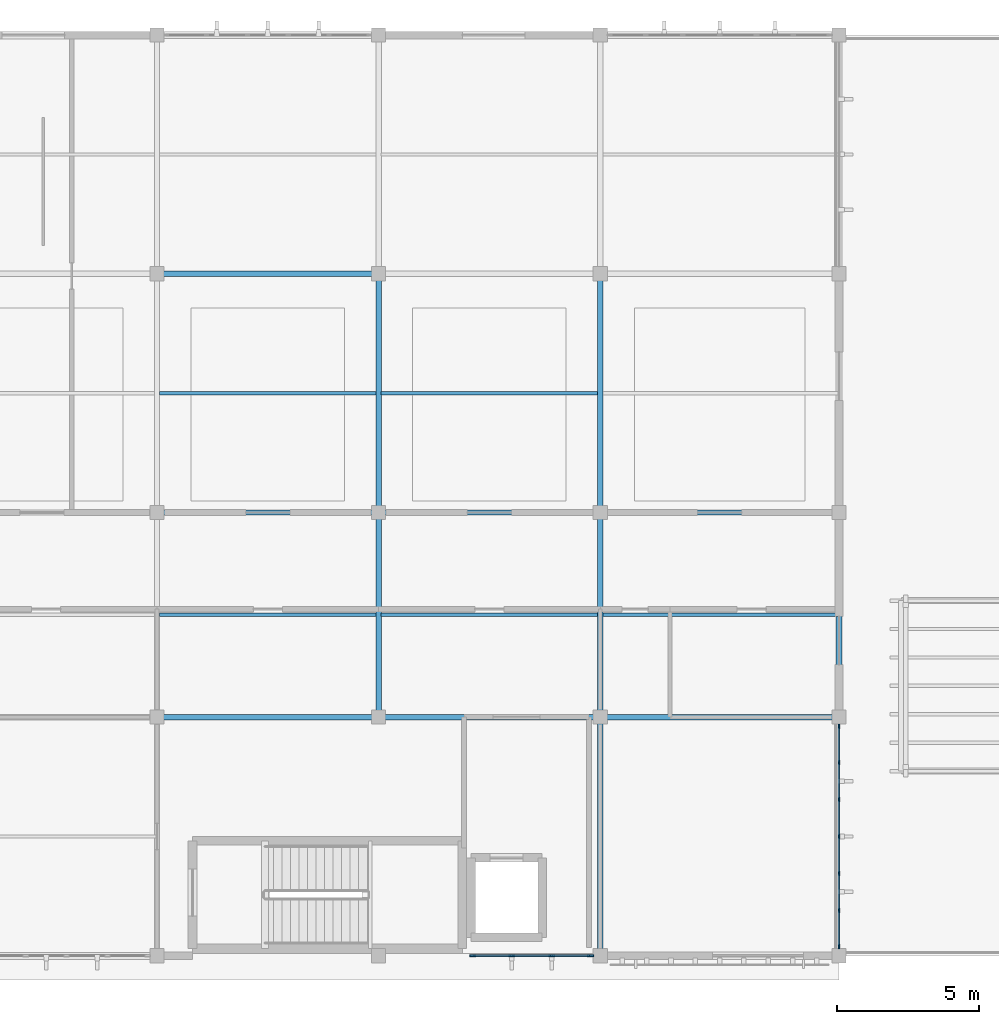
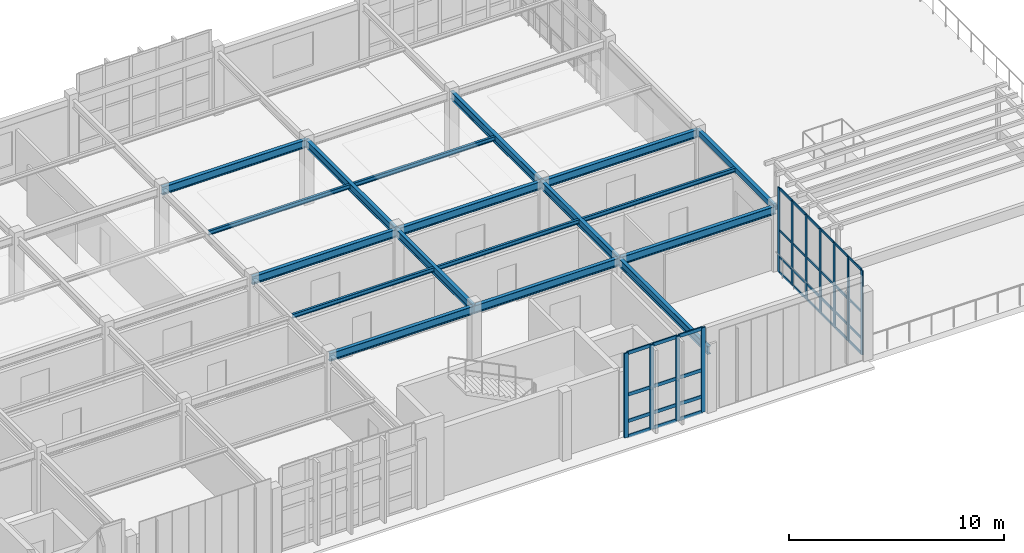
# One storey, part 5 of 20: 47 members, 18 beams, 2 elements without a shape of their own.
"""IFC4 building model written with IfcOpenShell, lengths in metres."""

from ifc_helpers import new_model, si_unit, direction, frame, origin, origin_2d, place, context, subcontext, project, spatial, rectangle, hollow_rectangle, i_section, extrude, material, material_profile, profile_set, type_object, element, aggregate, save


model = new_model("IFC4")

# Units and contexts
model_context = context("Model", 3, precision=1e-05, world=origin(), true_north=direction((0.0, 1.0)))
body_context = subcontext(model_context, "Body", "Model", "MODEL_VIEW")
ifc_project = project(units=[si_unit("LENGTHUNIT", "METRE"), si_unit("AREAUNIT", "SQUARE_METRE"), si_unit("VOLUMEUNIT", "CUBIC_METRE"), si_unit("PLANEANGLEUNIT", "RADIAN"), si_unit("MASSUNIT", "GRAM", prefix="KILO")], contexts=[model_context])

# Site, building, storey
site_placement = place(None, origin())
site = spatial("IfcSite", under=ifc_project, at=site_placement, CompositionType="ELEMENT")
building_placement = place(site_placement, origin())
building = spatial("IfcBuilding", under=site, at=building_placement, Name="Tizgana Railside Sports Hall", CompositionType="ELEMENT")
storey_placement = place(building_placement, frame((0.0, 0.0, 19.800048828125)))
storey = spatial("IfcBuildingStorey", under=building, at=storey_placement, Name="L04", CompositionType="ELEMENT", Elevation=19.800048828125)

# Curtain wall, members
ifc_material_1 = material(Name="Anodised aluminium and glass", Category="aluminium")
curtain_wall_type_1 = type_object("IfcCurtainWallType", Name="Unitised Curtain Wall Foyer 1300", PredefinedType="NOTDEFINED", material=ifc_material_1)
curtain_wall_1_placement = place(storey_placement, origin())
curtain_wall_1 = element("IfcCurtainWall", 1, at=curtain_wall_1_placement, inside=storey, type_object=curtain_wall_type_1, Name="L04 Curtain Wall CW-0145", PredefinedType="NOTDEFINED")
ifc_material_2 = material(Name="Anodised aluminium", Category="aluminium")
ifc_material_profile_1 = material_profile(ifc_material_2, rectangle(XDim=0.06005859375, YDim=0.159912109375, at=origin_2d()), Name="Mullion 60x160")
ifc_profile_set_1 = profile_set([ifc_material_profile_1], Name="Anodised aluminium")
member_type_1 = type_object("IfcMemberType", Name="Mullion 60x160", PredefinedType="MULLION", material=ifc_profile_set_1)
member_1_placement = place(storey_placement, frame((63.0, 8.06494140625, 0.0), z_axis=(0.0, 0.0, 1.0), x_axis=(1.0, 0.0, 0.0)))
member_1 = element("IfcMember", 2, at=member_1_placement, type_object=member_type_1, Name="CW-02 mullion 1", PredefinedType="MULLION", context=body_context, shape_type="SweptSolid", body=[
    extrude(rectangle(XDim=0.06005859375, YDim=0.159912109375, at=origin_2d()), origin(), (0.0, 0.0, 1.0), 4.800048828125),
])
member_2_placement = place(storey_placement, frame((63.0, 6.796630859375, 0.0), z_axis=(0.0, 0.0, 1.0), x_axis=(1.0, 0.0, 0.0)))
member_2 = element("IfcMember", 3, at=member_2_placement, type_object=member_type_1, Name="CW-02 mullion 2", PredefinedType="MULLION", context=body_context, shape_type="SweptSolid", body=[
    extrude(rectangle(XDim=0.06005859375, YDim=0.159912109375, at=origin_2d()), origin(), (0.0, 0.0, 1.0), 4.800048828125),
])
member_3_placement = place(storey_placement, frame((63.0, 5.498291015625, 0.0), z_axis=(0.0, 0.0, 1.0), x_axis=(1.0, 0.0, 0.0)))
member_3 = element("IfcMember", 4, at=member_3_placement, type_object=member_type_1, Name="CW-02 mullion 3", PredefinedType="MULLION", context=body_context, shape_type="SweptSolid", body=[
    extrude(rectangle(XDim=0.06005859375, YDim=0.159912109375, at=origin_2d()), origin(), (0.0, 0.0, 1.0), 4.800048828125),
])
member_4_placement = place(storey_placement, frame((63.0, 4.199951171875, 0.0), z_axis=(0.0, 0.0, 1.0), x_axis=(1.0, 0.0, 0.0)))
member_4 = element("IfcMember", 5, at=member_4_placement, type_object=member_type_1, Name="CW-02 mullion 4", PredefinedType="MULLION", context=body_context, shape_type="SweptSolid", body=[
    extrude(rectangle(XDim=0.06005859375, YDim=0.159912109375, at=origin_2d()), origin(), (0.0, 0.0, 1.0), 4.800048828125),
])
member_5_placement = place(storey_placement, frame((63.0, 2.901611328125, 0.0), z_axis=(0.0, 0.0, 1.0), x_axis=(1.0, 0.0, 0.0)))
member_5 = element("IfcMember", 6, at=member_5_placement, type_object=member_type_1, Name="CW-02 mullion 5", PredefinedType="MULLION", context=body_context, shape_type="SweptSolid", body=[
    extrude(rectangle(XDim=0.06005859375, YDim=0.159912109375, at=origin_2d()), origin(), (0.0, 0.0, 1.0), 4.800048828125),
])
member_6_placement = place(storey_placement, frame((63.0, 1.603271484375, 0.0), z_axis=(0.0, 0.0, 1.0), x_axis=(1.0, 0.0, 0.0)))
member_6 = element("IfcMember", 7, at=member_6_placement, type_object=member_type_1, Name="CW-02 mullion 6", PredefinedType="MULLION", context=body_context, shape_type="SweptSolid", body=[
    extrude(rectangle(XDim=0.06005859375, YDim=0.159912109375, at=origin_2d()), origin(), (0.0, 0.0, 1.0), 4.800048828125),
])
member_7_placement = place(storey_placement, frame((63.0, 0.3349609375, 0.0), z_axis=(0.0, 0.0, 1.0), x_axis=(1.0, 0.0, 0.0)))
member_7 = element("IfcMember", 8, at=member_7_placement, type_object=member_type_1, Name="CW-02 mullion 7", PredefinedType="MULLION", context=body_context, shape_type="SweptSolid", body=[
    extrude(rectangle(XDim=0.06005859375, YDim=0.159912109375, at=origin_2d()), origin(), (0.0, 0.0, 1.0), 4.800048828125),
])

curtain_wall_type_2 = type_object("IfcCurtainWallType", Name="Unitised Curtain Wall Concourse 1500", PredefinedType="NOTDEFINED", material=ifc_material_1)
curtain_wall_2_placement = place(storey_placement, origin())
curtain_wall_2 = element("IfcCurtainWall", 9, at=curtain_wall_2_placement, inside=storey, type_object=curtain_wall_type_2, Name="L04 Curtain Wall CW-0136", PredefinedType="NOTDEFINED")
ifc_material_profile_2 = material_profile(ifc_material_2, rectangle(XDim=0.070068359375, YDim=0.219970703125, at=origin_2d()), Name="Mullion 70x220")
ifc_profile_set_2 = profile_set([ifc_material_profile_2], Name="Anodised aluminium")
member_type_2 = type_object("IfcMemberType", Name="Mullion 70x220", PredefinedType="MULLION", material=ifc_profile_set_2)
member_8_placement = place(storey_placement, frame((54.260009765625, 0.0, 0.0), z_axis=(0.0, 0.0, 1.0), x_axis=(0.0, -1.0, 0.0)))
member_8 = element("IfcMember", 10, at=member_8_placement, type_object=member_type_2, Name="CW-01 mullion 1", PredefinedType="MULLION", context=body_context, shape_type="SweptSolid", body=[
    extrude(rectangle(XDim=0.070068359375, YDim=0.219970703125, at=origin_2d()), origin(), (0.0, 0.0, 1.0), 4.800048828125),
])
member_9_placement = place(storey_placement, frame((52.889892578125, 0.0, 0.0), z_axis=(0.0, 0.0, 1.0), x_axis=(0.0, -1.0, 0.0)))
member_9 = element("IfcMember", 11, at=member_9_placement, type_object=member_type_2, Name="CW-01 mullion 2", PredefinedType="MULLION", context=body_context, shape_type="SweptSolid", body=[
    extrude(rectangle(XDim=0.070068359375, YDim=0.219970703125, at=origin_2d()), origin(), (0.0, 0.0, 1.0), 4.800048828125),
])
member_10_placement = place(storey_placement, frame((51.485107421875, 0.0, 0.0), z_axis=(0.0, 0.0, 1.0), x_axis=(0.0, -1.0, 0.0)))
member_10 = element("IfcMember", 12, at=member_10_placement, type_object=member_type_2, Name="CW-01 mullion 3", PredefinedType="MULLION", context=body_context, shape_type="SweptSolid", body=[
    extrude(rectangle(XDim=0.070068359375, YDim=0.219970703125, at=origin_2d()), origin(), (0.0, 0.0, 1.0), 4.800048828125),
])
member_11_placement = place(storey_placement, frame((50.114990234375, 0.0, 0.0), z_axis=(0.0, 0.0, 1.0), x_axis=(0.0, -1.0, 0.0)))
member_11 = element("IfcMember", 13, at=member_11_placement, type_object=member_type_2, Name="CW-01 mullion 4", PredefinedType="MULLION", context=body_context, shape_type="SweptSolid", body=[
    extrude(rectangle(XDim=0.070068359375, YDim=0.219970703125, at=origin_2d()), origin(), (0.0, 0.0, 1.0), 4.800048828125),
])

# Beams
ifc_material_3 = material(Name="Steel S355J2", Category="steel")
ifc_material_profile_3 = material_profile(ifc_material_3, i_section(OverallWidth=0.18994140625, OverallDepth=0.449951171875, WebThickness=0.009521484375, FlangeThickness=0.0146484375, FilletRadius=0.02099609375, at=origin_2d()), Name="IPE 450")
ifc_profile_set_3 = profile_set([ifc_material_profile_3], Name="Steel S355J2")
beam_type_1 = type_object("IfcBeamType", Name="Steel Beam IPE 450", PredefinedType="BEAM", material=ifc_profile_set_3)
beam_1_placement = place(storey_placement, frame((46.800048828125, 8.39990234375, 3.370849609375), z_axis=(0.0, 1.0, 0.0), x_axis=(-1.0, 0.0, 0.0)))
element("IfcBeam", 14, at=beam_1_placement, inside=storey, type_object=beam_type_1, Name="L04 BEM-0804", PredefinedType="BEAM", context=body_context, shape_type="SweptSolid", body=[
    extrude(i_section(OverallWidth=0.18994140625, OverallDepth=0.449951171875, WebThickness=0.009521484375, FlangeThickness=0.0146484375, FilletRadius=0.02099609375, at=origin_2d()), origin(), (0.0, 0.0, 1.0), 7.2001953125),
])
for number, where, z_axis, x_axis, name in (
    (15, (46.800048828125, 15.60009765625, 3.370849609375), (0.0, 1.0, 0.0), (-1.0, 0.0, 0.0), "L04 BEM-0805"),
    (16, (54.60009765625, 0.0, 3.370849609375), (0.0, 1.0, 0.0), (-1.0, 0.0, 0.0), "L04 BEM-0807"),
):
    element("IfcBeam", number, at=place(storey_placement, frame(where, z_axis=z_axis, x_axis=x_axis)), inside=storey, type_object=beam_type_1, Name=name, PredefinedType="BEAM", context=body_context, shape_type="SweptSolid", body=[
        extrude(i_section(OverallWidth=0.18994140625, OverallDepth=0.449951171875, WebThickness=0.009521484375, FlangeThickness=0.0146484375, FilletRadius=0.02099609375, at=origin_2d()), origin(), (0.0, 0.0, 1.0), 8.39990234375),
    ])
beam_2_placement = place(storey_placement, frame((54.60009765625, 8.39990234375, 3.370849609375), z_axis=(0.0, 1.0, 0.0), x_axis=(-1.0, 0.0, 0.0)))
element("IfcBeam", 17, at=beam_2_placement, inside=storey, type_object=beam_type_1, Name="L04 BEM-0808", PredefinedType="BEAM", context=body_context, shape_type="SweptSolid", body=[
    extrude(i_section(OverallWidth=0.18994140625, OverallDepth=0.449951171875, WebThickness=0.009521484375, FlangeThickness=0.0146484375, FilletRadius=0.02099609375, at=origin_2d()), origin(), (0.0, 0.0, 1.0), 7.2001953125),
])
beam_3_placement = place(storey_placement, frame((54.60009765625, 15.60009765625, 3.370849609375), z_axis=(0.0, 1.0, 0.0), x_axis=(-1.0, 0.0, 0.0)))
element("IfcBeam", 18, at=beam_3_placement, inside=storey, type_object=beam_type_1, Name="L04 BEM-0809", PredefinedType="BEAM", context=body_context, shape_type="SweptSolid", body=[
    extrude(i_section(OverallWidth=0.18994140625, OverallDepth=0.449951171875, WebThickness=0.009521484375, FlangeThickness=0.0146484375, FilletRadius=0.02099609375, at=origin_2d()), origin(), (0.0, 0.0, 1.0), 8.39990234375),
])
for number, where, z_axis, x_axis, name in (
    (19, (39.0, 8.39990234375, 3.370849609375), (1.0, 0.0, 0.0), (0.0, 1.0, 0.0), "L04 BEM-0846"),
    (20, (39.0, 15.60009765625, 3.370849609375), (1.0, 0.0, 0.0), (0.0, 1.0, 0.0), "L04 BEM-0847"),
    (21, (39.0, 24.0, 3.370849609375), (1.0, 0.0, 0.0), (0.0, 1.0, 0.0), "L04 BEM-0848"),
    (22, (46.800048828125, 8.39990234375, 3.370849609375), (1.0, 0.0, 0.0), (0.0, 1.0, 0.0), "L04 BEM-0853"),
    (23, (46.800048828125, 15.60009765625, 3.370849609375), (1.0, 0.0, 0.0), (0.0, 1.0, 0.0), "L04 BEM-0854"),
):
    element("IfcBeam", number, at=place(storey_placement, frame(where, z_axis=z_axis, x_axis=x_axis)), inside=storey, type_object=beam_type_1, Name=name, PredefinedType="BEAM", context=body_context, shape_type="SweptSolid", body=[
        extrude(i_section(OverallWidth=0.18994140625, OverallDepth=0.449951171875, WebThickness=0.009521484375, FlangeThickness=0.0146484375, FilletRadius=0.02099609375, at=origin_2d()), origin(), (0.0, 0.0, 1.0), 7.800048828125),
    ])
for number, where, z_axis, x_axis, name in (
    (24, (54.60009765625, 8.39990234375, 3.370849609375), (1.0, 0.0, 0.0), (0.0, 1.0, 0.0), "L04 BEM-0860"),
    (25, (54.60009765625, 15.60009765625, 3.370849609375), (1.0, 0.0, 0.0), (0.0, 1.0, 0.0), "L04 BEM-0861"),
):
    element("IfcBeam", number, at=place(storey_placement, frame(where, z_axis=z_axis, x_axis=x_axis)), inside=storey, type_object=beam_type_1, Name=name, PredefinedType="BEAM", context=body_context, shape_type="SweptSolid", body=[
        extrude(i_section(OverallWidth=0.18994140625, OverallDepth=0.449951171875, WebThickness=0.009521484375, FlangeThickness=0.0146484375, FilletRadius=0.02099609375, at=origin_2d()), origin(), (0.0, 0.0, 1.0), 8.39990234375),
    ])
ifc_material_profile_4 = material_profile(ifc_material_3, i_section(OverallWidth=0.1201171875, OverallDepth=0.239990234375, WebThickness=0.006103515625, FlangeThickness=0.009765625, FilletRadius=0.014892578125, at=origin_2d()), Name="IPE 240")
ifc_profile_set_4 = profile_set([ifc_material_profile_4], Name="Steel S355J2")
beam_type_2 = type_object("IfcBeamType", Name="Steel Joist IPE 240", PredefinedType="JOIST", material=ifc_profile_set_4)
for number, where, z_axis, x_axis, name in (
    (26, (39.090087890625, 12.0, 3.475830078125), (1.0, 0.0, 0.0), (0.0, 1.0, 0.0), "L04 BEM-0850"),
    (27, (39.090087890625, 19.800048828125, 3.475830078125), (1.0, 0.0, 0.0), (0.0, 1.0, 0.0), "L04 BEM-0851"),
):
    element("IfcBeam", number, at=place(storey_placement, frame(where, z_axis=z_axis, x_axis=x_axis)), inside=storey, type_object=beam_type_2, Name=name, PredefinedType="JOIST", context=body_context, shape_type="SweptSolid", body=[
        extrude(i_section(OverallWidth=0.1201171875, OverallDepth=0.239990234375, WebThickness=0.006103515625, FlangeThickness=0.009765625, FilletRadius=0.014892578125, at=origin_2d()), origin(), (0.0, 0.0, 1.0), 7.619873046875),
    ])
for number, where, z_axis, x_axis, name in (
    (28, (46.889892578125, 12.0, 3.475830078125), (1.0, 0.0, 0.0), (0.0, 1.0, 0.0), "L04 BEM-0857"),
    (29, (46.889892578125, 19.800048828125, 3.475830078125), (1.0, 0.0, 0.0), (0.0, 1.0, 0.0), "L04 BEM-0858"),
):
    element("IfcBeam", number, at=place(storey_placement, frame(where, z_axis=z_axis, x_axis=x_axis)), inside=storey, type_object=beam_type_2, Name=name, PredefinedType="JOIST", context=body_context, shape_type="SweptSolid", body=[
        extrude(i_section(OverallWidth=0.1201171875, OverallDepth=0.239990234375, WebThickness=0.006103515625, FlangeThickness=0.009765625, FilletRadius=0.014892578125, at=origin_2d()), origin(), (0.0, 0.0, 1.0), 7.6201171875),
    ])
beam_4_placement = place(storey_placement, frame((54.68994140625, 12.0, 3.475830078125), z_axis=(1.0, 0.0, 0.0), x_axis=(0.0, 1.0, 0.0)))
element("IfcBeam", 30, at=beam_4_placement, inside=storey, type_object=beam_type_2, Name="L04 BEM-0864", PredefinedType="JOIST", context=body_context, shape_type="SweptSolid", body=[
    extrude(i_section(OverallWidth=0.1201171875, OverallDepth=0.239990234375, WebThickness=0.006103515625, FlangeThickness=0.009765625, FilletRadius=0.014892578125, at=origin_2d()), origin(), (0.0, 0.0, 1.0), 8.31005859375),
])
ifc_material_profile_5 = material_profile(ifc_material_3, hollow_rectangle(XDim=0.199951171875, YDim=0.300048828125, WallThickness=0.010009765625, at=origin_2d()), Name="RHS 300x200x10")
ifc_profile_set_5 = profile_set([ifc_material_profile_5], Name="Steel S355J2")
beam_type_3 = type_object("IfcBeamType", Name="Steel Spandrel RHS 300x200x10", PredefinedType="SPANDREL", material=ifc_profile_set_5)
beam_5_placement = place(storey_placement, frame((63.0, 8.39990234375, 3.449951171875), z_axis=(0.0, 1.0, 0.0), x_axis=(-1.0, 0.0, 0.0)))
element("IfcBeam", 31, at=beam_5_placement, inside=storey, type_object=beam_type_3, Name="L04 BEM-0811", PredefinedType="SPANDREL", context=body_context, shape_type="SweptSolid", body=[
    extrude(hollow_rectangle(XDim=0.199951171875, YDim=0.300048828125, WallThickness=0.010009765625, at=origin_2d()), origin(), (0.0, 0.0, 1.0), 7.2001953125),
])

# Member
ifc_material_profile_6 = material_profile(ifc_material_2, rectangle(XDim=0.06005859375, YDim=0.1298828125, at=origin_2d()), Name="Transom 60x130")
ifc_profile_set_6 = profile_set([ifc_material_profile_6], Name="Anodised aluminium")
member_type_3 = type_object("IfcMemberType", Name="Transom 60x130", PredefinedType="USERDEFINED", material=ifc_profile_set_6)
member_12_placement = place(storey_placement, frame((63.0, 8.034912109375, 0.030029296875), z_axis=(0.0, -1.0, 0.0), x_axis=(1.0, 0.0, 0.0)))
member_12 = element("IfcMember", 32, at=member_12_placement, type_object=member_type_3, Name="CW-02 transom 1.1", ObjectType="TRANSOM", PredefinedType="USERDEFINED", context=body_context, shape_type="SweptSolid", body=[
    extrude(rectangle(XDim=0.06005859375, YDim=0.1298828125, at=origin_2d()), origin(), (0.0, 0.0, 1.0), 1.208251953125),
])

member_13_placement = place(storey_placement, frame((63.0, 8.034912109375, 0.89990234375), z_axis=(0.0, -1.0, 0.0), x_axis=(1.0, 0.0, 0.0)))
member_13 = element("IfcMember", 33, at=member_13_placement, type_object=member_type_3, Name="CW-02 transom 1.2", ObjectType="TRANSOM", PredefinedType="USERDEFINED", context=body_context, shape_type="SweptSolid", body=[
    extrude(rectangle(XDim=0.06005859375, YDim=0.1298828125, at=origin_2d()), origin(), (0.0, 0.0, 1.0), 1.208251953125),
])

member_14_placement = place(storey_placement, frame((63.0, 8.034912109375, 2.39990234375), z_axis=(0.0, -1.0, 0.0), x_axis=(1.0, 0.0, 0.0)))
member_14 = element("IfcMember", 34, at=member_14_placement, type_object=member_type_3, Name="CW-02 transom 1.3", ObjectType="TRANSOM", PredefinedType="USERDEFINED", context=body_context, shape_type="SweptSolid", body=[
    extrude(rectangle(XDim=0.06005859375, YDim=0.1298828125, at=origin_2d()), origin(), (0.0, 0.0, 1.0), 1.208251953125),
])

member_15_placement = place(storey_placement, frame((63.0, 8.034912109375, 4.77001953125), z_axis=(0.0, -1.0, 0.0), x_axis=(1.0, 0.0, 0.0)))
member_15 = element("IfcMember", 35, at=member_15_placement, type_object=member_type_3, Name="CW-02 transom 1.4", ObjectType="TRANSOM", PredefinedType="USERDEFINED", context=body_context, shape_type="SweptSolid", body=[
    extrude(rectangle(XDim=0.06005859375, YDim=0.1298828125, at=origin_2d()), origin(), (0.0, 0.0, 1.0), 1.208251953125),
])

member_16_placement = place(storey_placement, frame((63.0, 6.7666015625, 0.030029296875), z_axis=(0.0, -1.0, 0.0), x_axis=(1.0, 0.0, 0.0)))
member_16 = element("IfcMember", 36, at=member_16_placement, type_object=member_type_3, Name="CW-02 transom 2.1", ObjectType="TRANSOM", PredefinedType="USERDEFINED", context=body_context, shape_type="SweptSolid", body=[
    extrude(rectangle(XDim=0.06005859375, YDim=0.1298828125, at=origin_2d()), origin(), (0.0, 0.0, 1.0), 1.23828125),
])

member_17_placement = place(storey_placement, frame((63.0, 6.7666015625, 0.89990234375), z_axis=(0.0, -1.0, 0.0), x_axis=(1.0, 0.0, 0.0)))
member_17 = element("IfcMember", 37, at=member_17_placement, type_object=member_type_3, Name="CW-02 transom 2.2", ObjectType="TRANSOM", PredefinedType="USERDEFINED", context=body_context, shape_type="SweptSolid", body=[
    extrude(rectangle(XDim=0.06005859375, YDim=0.1298828125, at=origin_2d()), origin(), (0.0, 0.0, 1.0), 1.23828125),
])

member_18_placement = place(storey_placement, frame((63.0, 6.7666015625, 2.39990234375), z_axis=(0.0, -1.0, 0.0), x_axis=(1.0, 0.0, 0.0)))
member_18 = element("IfcMember", 38, at=member_18_placement, type_object=member_type_3, Name="CW-02 transom 2.3", ObjectType="TRANSOM", PredefinedType="USERDEFINED", context=body_context, shape_type="SweptSolid", body=[
    extrude(rectangle(XDim=0.06005859375, YDim=0.1298828125, at=origin_2d()), origin(), (0.0, 0.0, 1.0), 1.23828125),
])

member_19_placement = place(storey_placement, frame((63.0, 6.7666015625, 4.77001953125), z_axis=(0.0, -1.0, 0.0), x_axis=(1.0, 0.0, 0.0)))
member_19 = element("IfcMember", 39, at=member_19_placement, type_object=member_type_3, Name="CW-02 transom 2.4", ObjectType="TRANSOM", PredefinedType="USERDEFINED", context=body_context, shape_type="SweptSolid", body=[
    extrude(rectangle(XDim=0.06005859375, YDim=0.1298828125, at=origin_2d()), origin(), (0.0, 0.0, 1.0), 1.23828125),
])

member_20_placement = place(storey_placement, frame((63.0, 5.46826171875, 0.030029296875), z_axis=(0.0, -1.0, 0.0), x_axis=(1.0, 0.0, 0.0)))
member_20 = element("IfcMember", 40, at=member_20_placement, type_object=member_type_3, Name="CW-02 transom 3.1", ObjectType="TRANSOM", PredefinedType="USERDEFINED", context=body_context, shape_type="SweptSolid", body=[
    extrude(rectangle(XDim=0.06005859375, YDim=0.1298828125, at=origin_2d()), origin(), (0.0, 0.0, 1.0), 1.23828125),
])

member_21_placement = place(storey_placement, frame((63.0, 5.46826171875, 0.89990234375), z_axis=(0.0, -1.0, 0.0), x_axis=(1.0, 0.0, 0.0)))
member_21 = element("IfcMember", 41, at=member_21_placement, type_object=member_type_3, Name="CW-02 transom 3.2", ObjectType="TRANSOM", PredefinedType="USERDEFINED", context=body_context, shape_type="SweptSolid", body=[
    extrude(rectangle(XDim=0.06005859375, YDim=0.1298828125, at=origin_2d()), origin(), (0.0, 0.0, 1.0), 1.23828125),
])

member_22_placement = place(storey_placement, frame((63.0, 5.46826171875, 2.39990234375), z_axis=(0.0, -1.0, 0.0), x_axis=(1.0, 0.0, 0.0)))
member_22 = element("IfcMember", 42, at=member_22_placement, type_object=member_type_3, Name="CW-02 transom 3.3", ObjectType="TRANSOM", PredefinedType="USERDEFINED", context=body_context, shape_type="SweptSolid", body=[
    extrude(rectangle(XDim=0.06005859375, YDim=0.1298828125, at=origin_2d()), origin(), (0.0, 0.0, 1.0), 1.23828125),
])

member_23_placement = place(storey_placement, frame((63.0, 5.46826171875, 4.77001953125), z_axis=(0.0, -1.0, 0.0), x_axis=(1.0, 0.0, 0.0)))
member_23 = element("IfcMember", 43, at=member_23_placement, type_object=member_type_3, Name="CW-02 transom 3.4", ObjectType="TRANSOM", PredefinedType="USERDEFINED", context=body_context, shape_type="SweptSolid", body=[
    extrude(rectangle(XDim=0.06005859375, YDim=0.1298828125, at=origin_2d()), origin(), (0.0, 0.0, 1.0), 1.23828125),
])

member_24_placement = place(storey_placement, frame((63.0, 4.169921875, 0.030029296875), z_axis=(0.0, -1.0, 0.0), x_axis=(1.0, 0.0, 0.0)))
member_24 = element("IfcMember", 44, at=member_24_placement, type_object=member_type_3, Name="CW-02 transom 4.1", ObjectType="TRANSOM", PredefinedType="USERDEFINED", context=body_context, shape_type="SweptSolid", body=[
    extrude(rectangle(XDim=0.06005859375, YDim=0.1298828125, at=origin_2d()), origin(), (0.0, 0.0, 1.0), 1.23828125),
])

member_25_placement = place(storey_placement, frame((63.0, 4.169921875, 0.89990234375), z_axis=(0.0, -1.0, 0.0), x_axis=(1.0, 0.0, 0.0)))
member_25 = element("IfcMember", 45, at=member_25_placement, type_object=member_type_3, Name="CW-02 transom 4.2", ObjectType="TRANSOM", PredefinedType="USERDEFINED", context=body_context, shape_type="SweptSolid", body=[
    extrude(rectangle(XDim=0.06005859375, YDim=0.1298828125, at=origin_2d()), origin(), (0.0, 0.0, 1.0), 1.23828125),
])

member_26_placement = place(storey_placement, frame((63.0, 4.169921875, 2.39990234375), z_axis=(0.0, -1.0, 0.0), x_axis=(1.0, 0.0, 0.0)))
member_26 = element("IfcMember", 46, at=member_26_placement, type_object=member_type_3, Name="CW-02 transom 4.3", ObjectType="TRANSOM", PredefinedType="USERDEFINED", context=body_context, shape_type="SweptSolid", body=[
    extrude(rectangle(XDim=0.06005859375, YDim=0.1298828125, at=origin_2d()), origin(), (0.0, 0.0, 1.0), 1.23828125),
])

member_27_placement = place(storey_placement, frame((63.0, 4.169921875, 4.77001953125), z_axis=(0.0, -1.0, 0.0), x_axis=(1.0, 0.0, 0.0)))
member_27 = element("IfcMember", 47, at=member_27_placement, type_object=member_type_3, Name="CW-02 transom 4.4", ObjectType="TRANSOM", PredefinedType="USERDEFINED", context=body_context, shape_type="SweptSolid", body=[
    extrude(rectangle(XDim=0.06005859375, YDim=0.1298828125, at=origin_2d()), origin(), (0.0, 0.0, 1.0), 1.23828125),
])

member_28_placement = place(storey_placement, frame((63.0, 2.87158203125, 0.030029296875), z_axis=(0.0, -1.0, 0.0), x_axis=(1.0, 0.0, 0.0)))
member_28 = element("IfcMember", 48, at=member_28_placement, type_object=member_type_3, Name="CW-02 transom 5.1", ObjectType="TRANSOM", PredefinedType="USERDEFINED", context=body_context, shape_type="SweptSolid", body=[
    extrude(rectangle(XDim=0.06005859375, YDim=0.1298828125, at=origin_2d()), origin(), (0.0, 0.0, 1.0), 1.23828125),
])

member_29_placement = place(storey_placement, frame((63.0, 2.87158203125, 0.89990234375), z_axis=(0.0, -1.0, 0.0), x_axis=(1.0, 0.0, 0.0)))
member_29 = element("IfcMember", 49, at=member_29_placement, type_object=member_type_3, Name="CW-02 transom 5.2", ObjectType="TRANSOM", PredefinedType="USERDEFINED", context=body_context, shape_type="SweptSolid", body=[
    extrude(rectangle(XDim=0.06005859375, YDim=0.1298828125, at=origin_2d()), origin(), (0.0, 0.0, 1.0), 1.23828125),
])

member_30_placement = place(storey_placement, frame((63.0, 2.87158203125, 2.39990234375), z_axis=(0.0, -1.0, 0.0), x_axis=(1.0, 0.0, 0.0)))
member_30 = element("IfcMember", 50, at=member_30_placement, type_object=member_type_3, Name="CW-02 transom 5.3", ObjectType="TRANSOM", PredefinedType="USERDEFINED", context=body_context, shape_type="SweptSolid", body=[
    extrude(rectangle(XDim=0.06005859375, YDim=0.1298828125, at=origin_2d()), origin(), (0.0, 0.0, 1.0), 1.23828125),
])

member_31_placement = place(storey_placement, frame((63.0, 2.87158203125, 4.77001953125), z_axis=(0.0, -1.0, 0.0), x_axis=(1.0, 0.0, 0.0)))
member_31 = element("IfcMember", 51, at=member_31_placement, type_object=member_type_3, Name="CW-02 transom 5.4", ObjectType="TRANSOM", PredefinedType="USERDEFINED", context=body_context, shape_type="SweptSolid", body=[
    extrude(rectangle(XDim=0.06005859375, YDim=0.1298828125, at=origin_2d()), origin(), (0.0, 0.0, 1.0), 1.23828125),
])

member_32_placement = place(storey_placement, frame((63.0, 1.5732421875, 0.030029296875), z_axis=(0.0, -1.0, 0.0), x_axis=(1.0, 0.0, 0.0)))
member_32 = element("IfcMember", 52, at=member_32_placement, type_object=member_type_3, Name="CW-02 transom 6.1", ObjectType="TRANSOM", PredefinedType="USERDEFINED", context=body_context, shape_type="SweptSolid", body=[
    extrude(rectangle(XDim=0.06005859375, YDim=0.1298828125, at=origin_2d()), origin(), (0.0, 0.0, 1.0), 1.208251953125),
])

member_33_placement = place(storey_placement, frame((63.0, 1.5732421875, 0.89990234375), z_axis=(0.0, -1.0, 0.0), x_axis=(1.0, 0.0, 0.0)))
member_33 = element("IfcMember", 53, at=member_33_placement, type_object=member_type_3, Name="CW-02 transom 6.2", ObjectType="TRANSOM", PredefinedType="USERDEFINED", context=body_context, shape_type="SweptSolid", body=[
    extrude(rectangle(XDim=0.06005859375, YDim=0.1298828125, at=origin_2d()), origin(), (0.0, 0.0, 1.0), 1.208251953125),
])

member_34_placement = place(storey_placement, frame((63.0, 1.5732421875, 2.39990234375), z_axis=(0.0, -1.0, 0.0), x_axis=(1.0, 0.0, 0.0)))
member_34 = element("IfcMember", 54, at=member_34_placement, type_object=member_type_3, Name="CW-02 transom 6.3", ObjectType="TRANSOM", PredefinedType="USERDEFINED", context=body_context, shape_type="SweptSolid", body=[
    extrude(rectangle(XDim=0.06005859375, YDim=0.1298828125, at=origin_2d()), origin(), (0.0, 0.0, 1.0), 1.208251953125),
])

member_35_placement = place(storey_placement, frame((63.0, 1.5732421875, 4.77001953125), z_axis=(0.0, -1.0, 0.0), x_axis=(1.0, 0.0, 0.0)))
member_35 = element("IfcMember", 55, at=member_35_placement, type_object=member_type_3, Name="CW-02 transom 6.4", ObjectType="TRANSOM", PredefinedType="USERDEFINED", context=body_context, shape_type="SweptSolid", body=[
    extrude(rectangle(XDim=0.06005859375, YDim=0.1298828125, at=origin_2d()), origin(), (0.0, 0.0, 1.0), 1.208251953125),
])

aggregate(curtain_wall_1, [member_1, member_2, member_3, member_4, member_5, member_6, member_7, member_12, member_13, member_14, member_15, member_16, member_17, member_18, member_19, member_20, member_21, member_22, member_23, member_24, member_25, member_26, member_27, member_28, member_29, member_30, member_31, member_32, member_33, member_34, member_35])

ifc_material_profile_7 = material_profile(ifc_material_2, rectangle(XDim=0.070068359375, YDim=0.18994140625, at=origin_2d()), Name="Transom 70x190")
ifc_profile_set_7 = profile_set([ifc_material_profile_7], Name="Anodised aluminium")
member_type_4 = type_object("IfcMemberType", Name="Transom 70x190", PredefinedType="USERDEFINED", material=ifc_profile_set_7)
member_36_placement = place(storey_placement, frame((54.22509765625, 0.0, 0.034912109375), z_axis=(-1.0, 0.0, 0.0), x_axis=(0.0, -1.0, 0.0)))
member_36 = element("IfcMember", 56, at=member_36_placement, type_object=member_type_4, Name="CW-01 transom 1.1", ObjectType="TRANSOM", PredefinedType="USERDEFINED", context=body_context, shape_type="SweptSolid", body=[
    extrude(rectangle(XDim=0.070068359375, YDim=0.18994140625, at=origin_2d()), origin(), (0.0, 0.0, 1.0), 1.300048828125),
])

member_37_placement = place(storey_placement, frame((54.22509765625, 0.0, 0.89990234375), z_axis=(-1.0, 0.0, 0.0), x_axis=(0.0, -1.0, 0.0)))
member_37 = element("IfcMember", 57, at=member_37_placement, type_object=member_type_4, Name="CW-01 transom 1.2", ObjectType="TRANSOM", PredefinedType="USERDEFINED", context=body_context, shape_type="SweptSolid", body=[
    extrude(rectangle(XDim=0.070068359375, YDim=0.18994140625, at=origin_2d()), origin(), (0.0, 0.0, 1.0), 1.300048828125),
])

member_38_placement = place(storey_placement, frame((54.22509765625, 0.0, 2.39990234375), z_axis=(-1.0, 0.0, 0.0), x_axis=(0.0, -1.0, 0.0)))
member_38 = element("IfcMember", 58, at=member_38_placement, type_object=member_type_4, Name="CW-01 transom 1.3", ObjectType="TRANSOM", PredefinedType="USERDEFINED", context=body_context, shape_type="SweptSolid", body=[
    extrude(rectangle(XDim=0.070068359375, YDim=0.18994140625, at=origin_2d()), origin(), (0.0, 0.0, 1.0), 1.300048828125),
])

member_39_placement = place(storey_placement, frame((54.22509765625, 0.0, 4.764892578125), z_axis=(-1.0, 0.0, 0.0), x_axis=(0.0, -1.0, 0.0)))
member_39 = element("IfcMember", 59, at=member_39_placement, type_object=member_type_4, Name="CW-01 transom 1.4", ObjectType="TRANSOM", PredefinedType="USERDEFINED", context=body_context, shape_type="SweptSolid", body=[
    extrude(rectangle(XDim=0.070068359375, YDim=0.18994140625, at=origin_2d()), origin(), (0.0, 0.0, 1.0), 1.300048828125),
])

member_40_placement = place(storey_placement, frame((52.85498046875, 0.0, 0.034912109375), z_axis=(-1.0, 0.0, 0.0), x_axis=(0.0, -1.0, 0.0)))
member_40 = element("IfcMember", 60, at=member_40_placement, type_object=member_type_4, Name="CW-01 transom 2.1", ObjectType="TRANSOM", PredefinedType="USERDEFINED", context=body_context, shape_type="SweptSolid", body=[
    extrude(rectangle(XDim=0.070068359375, YDim=0.18994140625, at=origin_2d()), origin(), (0.0, 0.0, 1.0), 1.3349609375),
])

member_41_placement = place(storey_placement, frame((52.85498046875, 0.0, 0.89990234375), z_axis=(-1.0, 0.0, 0.0), x_axis=(0.0, -1.0, 0.0)))
member_41 = element("IfcMember", 61, at=member_41_placement, type_object=member_type_4, Name="CW-01 transom 2.2", ObjectType="TRANSOM", PredefinedType="USERDEFINED", context=body_context, shape_type="SweptSolid", body=[
    extrude(rectangle(XDim=0.070068359375, YDim=0.18994140625, at=origin_2d()), origin(), (0.0, 0.0, 1.0), 1.3349609375),
])

member_42_placement = place(storey_placement, frame((52.85498046875, 0.0, 2.39990234375), z_axis=(-1.0, 0.0, 0.0), x_axis=(0.0, -1.0, 0.0)))
member_42 = element("IfcMember", 62, at=member_42_placement, type_object=member_type_4, Name="CW-01 transom 2.3", ObjectType="TRANSOM", PredefinedType="USERDEFINED", context=body_context, shape_type="SweptSolid", body=[
    extrude(rectangle(XDim=0.070068359375, YDim=0.18994140625, at=origin_2d()), origin(), (0.0, 0.0, 1.0), 1.3349609375),
])

member_43_placement = place(storey_placement, frame((52.85498046875, 0.0, 4.764892578125), z_axis=(-1.0, 0.0, 0.0), x_axis=(0.0, -1.0, 0.0)))
member_43 = element("IfcMember", 63, at=member_43_placement, type_object=member_type_4, Name="CW-01 transom 2.4", ObjectType="TRANSOM", PredefinedType="USERDEFINED", context=body_context, shape_type="SweptSolid", body=[
    extrude(rectangle(XDim=0.070068359375, YDim=0.18994140625, at=origin_2d()), origin(), (0.0, 0.0, 1.0), 1.3349609375),
])

member_44_placement = place(storey_placement, frame((51.449951171875, 0.0, 0.034912109375), z_axis=(-1.0, 0.0, 0.0), x_axis=(0.0, -1.0, 0.0)))
member_44 = element("IfcMember", 64, at=member_44_placement, type_object=member_type_4, Name="CW-01 transom 3.1", ObjectType="TRANSOM", PredefinedType="USERDEFINED", context=body_context, shape_type="SweptSolid", body=[
    extrude(rectangle(XDim=0.070068359375, YDim=0.18994140625, at=origin_2d()), origin(), (0.0, 0.0, 1.0), 1.300048828125),
])

member_45_placement = place(storey_placement, frame((51.449951171875, 0.0, 0.89990234375), z_axis=(-1.0, 0.0, 0.0), x_axis=(0.0, -1.0, 0.0)))
member_45 = element("IfcMember", 65, at=member_45_placement, type_object=member_type_4, Name="CW-01 transom 3.2", ObjectType="TRANSOM", PredefinedType="USERDEFINED", context=body_context, shape_type="SweptSolid", body=[
    extrude(rectangle(XDim=0.070068359375, YDim=0.18994140625, at=origin_2d()), origin(), (0.0, 0.0, 1.0), 1.300048828125),
])

member_46_placement = place(storey_placement, frame((51.449951171875, 0.0, 2.39990234375), z_axis=(-1.0, 0.0, 0.0), x_axis=(0.0, -1.0, 0.0)))
member_46 = element("IfcMember", 66, at=member_46_placement, type_object=member_type_4, Name="CW-01 transom 3.3", ObjectType="TRANSOM", PredefinedType="USERDEFINED", context=body_context, shape_type="SweptSolid", body=[
    extrude(rectangle(XDim=0.070068359375, YDim=0.18994140625, at=origin_2d()), origin(), (0.0, 0.0, 1.0), 1.300048828125),
])

member_47_placement = place(storey_placement, frame((51.449951171875, 0.0, 4.764892578125), z_axis=(-1.0, 0.0, 0.0), x_axis=(0.0, -1.0, 0.0)))
member_47 = element("IfcMember", 67, at=member_47_placement, type_object=member_type_4, Name="CW-01 transom 3.4", ObjectType="TRANSOM", PredefinedType="USERDEFINED", context=body_context, shape_type="SweptSolid", body=[
    extrude(rectangle(XDim=0.070068359375, YDim=0.18994140625, at=origin_2d()), origin(), (0.0, 0.0, 1.0), 1.300048828125),
])

aggregate(curtain_wall_2, [member_8, member_9, member_10, member_11, member_36, member_37, member_38, member_39, member_40, member_41, member_42, member_43, member_44, member_45, member_46, member_47])

save(model, "model.ifc")
